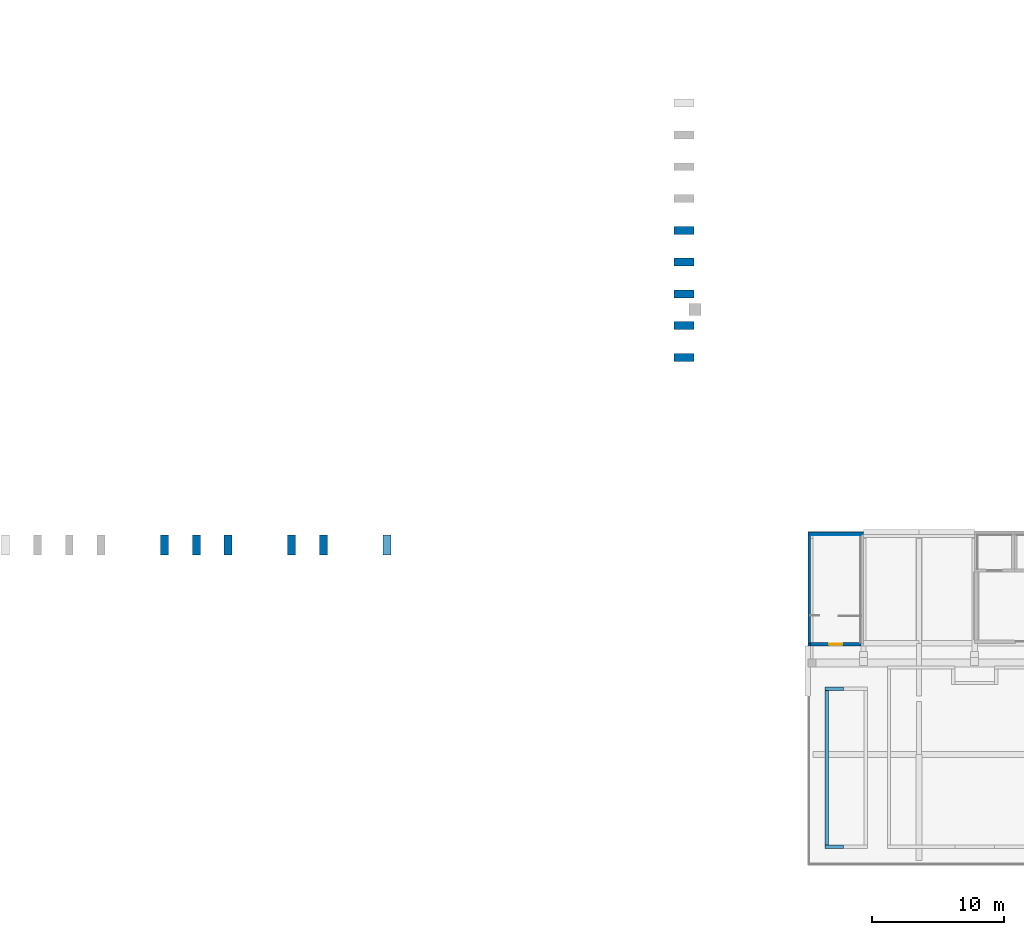
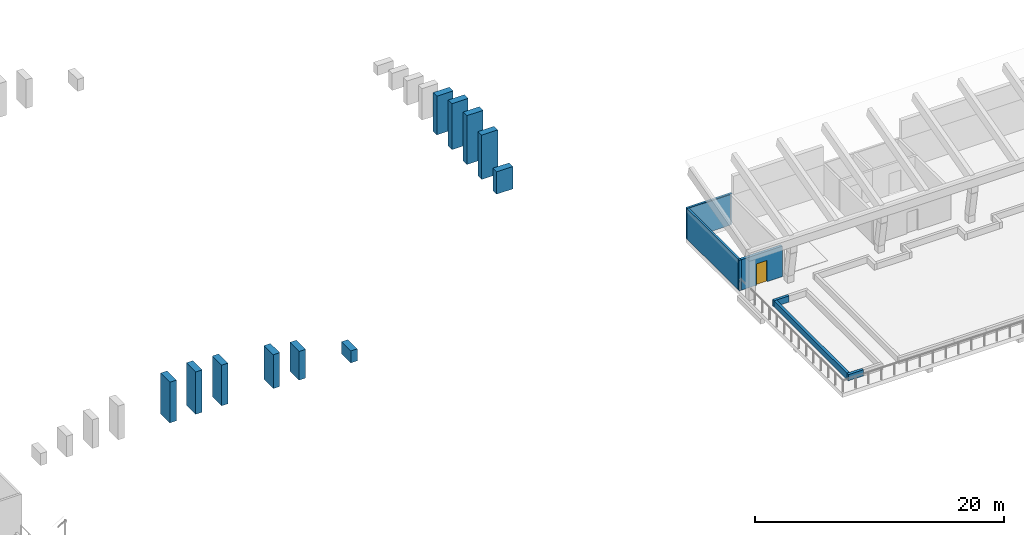
# One storey, part 46 of 67: 19 walls, 1 door, 1 opening.
"""IFC4 building model written with IfcOpenShell, lengths in metres."""

from ifc_helpers import new_model, si_unit, direction, frame, frame_2d, origin, place, context, subcontext, project, spatial, rectangle, extrude, material, layer, layer_set, type_object, element, fill, save


model = new_model("IFC4")

# Units and contexts
model_context = context("Model", 3, precision=1e-05, world=origin(), true_north=direction((0.0, 1.0)))
body_context = subcontext(model_context, "Body", "Model", "MODEL_VIEW")
ifc_project = project(units=[si_unit("LENGTHUNIT", "METRE"), si_unit("AREAUNIT", "SQUARE_METRE"), si_unit("VOLUMEUNIT", "CUBIC_METRE"), si_unit("PLANEANGLEUNIT", "RADIAN"), si_unit("MASSUNIT", "GRAM", prefix="KILO")], contexts=[model_context])

# Site, building, storey
site_placement = place(None, origin())
site = spatial("IfcSite", under=ifc_project, at=site_placement, CompositionType="ELEMENT")
building_placement = place(site_placement, origin())
building = spatial("IfcBuilding", under=site, at=building_placement, Name="Kiln Court Media Centre", CompositionType="ELEMENT")
storey_placement = place(building_placement, frame((0.0, 0.0, 19.800048828125)))
storey = spatial("IfcBuildingStorey", under=building, at=storey_placement, Name="L04", CompositionType="ELEMENT", Elevation=19.800048828125)

# Walls
ifc_material_1 = material(Name="Concrete C30/37", Category="concrete")
ifc_layer_1 = layer(ifc_material_1, 0.25)
ifc_layer_set_1 = layer_set([ifc_layer_1], Name="Concrete C30/37 planter wall 250")
wall_type_1 = type_object("IfcWallType", Name="Concrete C30/37 planter wall 250", PredefinedType="PARAPET", material=ifc_layer_set_1)
for number, where, z_axis, x_axis, name in (
    (1, (127.300048828125, 13.375, 0.0), (0.0, 0.0, 1.0), (1.0, 0.0, 0.0), "Roof garden planter 1.1 north wall"),
    (2, (127.300048828125, 1.425048828125, 0.0), (0.0, 0.0, 1.0), (1.0, 0.0, 0.0), "Roof garden planter 1.1 south wall"),
):
    element("IfcWall", number, at=place(storey_placement, frame(where, z_axis=z_axis, x_axis=x_axis)), inside=storey, type_object=wall_type_1, Name=name, PredefinedType="PARAPET", context=body_context, shape_type="SweptSolid", body=[
        extrude(rectangle(XDim=1.39990234375, YDim=0.25, at=frame_2d((0.699951171875, 0.0))), origin(), (0.0, 0.0, 1.0), 0.599853515625),
    ])
wall_1_placement = place(storey_placement, frame((127.425048828125, 1.550048828125, 0.0), z_axis=(0.0, 0.0, 1.0), x_axis=(0.0, 1.0, 0.0)))
element("IfcWall", 3, at=wall_1_placement, inside=storey, type_object=wall_type_1, Name="Roof garden planter 1.1 west wall", PredefinedType="PARAPET", context=body_context, shape_type="SweptSolid", body=[
    extrude(rectangle(XDim=11.699951171875, YDim=0.25, at=frame_2d((5.85009765625, 0.0))), origin(), (0.0, 0.0, 1.0), 0.599853515625),
])
ifc_material_2 = material(Name="Concrete C40/50", Category="concrete")
ifc_layer_2 = layer(ifc_material_2, 0.60009765625)
ifc_layer_set_2 = layer_set([ifc_layer_2], Name="Concrete C40/50 cast rib 600x1500")
wall_type_2 = type_object("IfcWallType", Name="Concrete C40/50 cast rib 600x1500", PredefinedType="SOLIDWALL", material=ifc_layer_set_2)
wall_2_placement = place(storey_placement, frame((77.39990234375, 24.9736328125, 0.0), z_axis=(0.0, 0.0, 1.0), x_axis=(0.0, -1.0, 0.0)))
element("IfcWall", 4, at=wall_2_placement, inside=storey, type_object=wall_type_2, Name="V1 S gable rib", PredefinedType="SOLIDWALL", context=body_context, shape_type="SweptSolid", body=[
    extrude(rectangle(XDim=1.5, YDim=0.60009765625, at=frame_2d((0.75, 0.0))), origin(), (0.0, 0.0, 1.0), 3.987060546875),
])
wall_3_placement = place(storey_placement, frame((79.800048828125, 24.9736328125, 0.0), z_axis=(0.0, 0.0, 1.0), x_axis=(0.0, -1.0, 0.0)))
element("IfcWall", 5, at=wall_3_placement, inside=storey, type_object=wall_type_2, Name="V1 S gable rib", PredefinedType="SOLIDWALL", context=body_context, shape_type="SweptSolid", body=[
    extrude(rectangle(XDim=1.5, YDim=0.60009765625, at=frame_2d((0.75, 0.0))), origin(), (0.0, 0.0, 1.0), 4.158447265625),
])
wall_4_placement = place(storey_placement, frame((82.199951171875, 24.9736328125, 0.0), z_axis=(0.0, 0.0, 1.0), x_axis=(0.0, -1.0, 0.0)))
element("IfcWall", 6, at=wall_4_placement, inside=storey, type_object=wall_type_2, Name="V1 S gable rib", PredefinedType="SOLIDWALL", context=body_context, shape_type="SweptSolid", body=[
    extrude(rectangle(XDim=1.5, YDim=0.60009765625, at=frame_2d((0.75, 0.0))), origin(), (0.0, 0.0, 1.0), 3.987060546875),
])
wall_5_placement = place(storey_placement, frame((87.0, 24.9736328125, 0.0), z_axis=(0.0, 0.0, 1.0), x_axis=(0.0, -1.0, 0.0)))
element("IfcWall", 7, at=wall_5_placement, inside=storey, type_object=wall_type_2, Name="V1 S gable rib", PredefinedType="SOLIDWALL", context=body_context, shape_type="SweptSolid", body=[
    extrude(rectangle(XDim=1.5, YDim=0.60009765625, at=frame_2d((0.75, 0.0))), origin(), (0.0, 0.0, 1.0), 3.32275390625),
])
wall_6_placement = place(storey_placement, frame((89.39990234375, 24.9736328125, 0.0), z_axis=(0.0, 0.0, 1.0), x_axis=(0.0, -1.0, 0.0)))
element("IfcWall", 8, at=wall_6_placement, inside=storey, type_object=wall_type_2, Name="V1 S gable rib", PredefinedType="SOLIDWALL", context=body_context, shape_type="SweptSolid", body=[
    extrude(rectangle(XDim=1.5, YDim=0.60009765625, at=frame_2d((0.75, 0.0))), origin(), (0.0, 0.0, 1.0), 2.80859375),
])
wall_7_placement = place(storey_placement, frame((94.199951171875, 24.9736328125, 0.0), z_axis=(0.0, 0.0, 1.0), x_axis=(0.0, -1.0, 0.0)))
element("IfcWall", 9, at=wall_7_placement, inside=storey, type_object=wall_type_2, Name="V1 S gable rib", PredefinedType="SOLIDWALL", context=body_context, shape_type="SweptSolid", body=[
    extrude(rectangle(XDim=1.5, YDim=0.60009765625, at=frame_2d((0.75, 0.0))), origin(), (0.0, 0.0, 1.0), 1.179931640625),
])
wall_8_placement = place(storey_placement, frame((117.386474609375, 38.39990234375, 0.0), z_axis=(0.0, 0.0, 1.0), x_axis=(-1.0, 0.0, 0.0)))
element("IfcWall", 10, at=wall_8_placement, inside=storey, type_object=wall_type_2, Name="V2 W gable rib", PredefinedType="SOLIDWALL", context=body_context, shape_type="SweptSolid", body=[
    extrude(rectangle(XDim=1.5, YDim=0.60009765625, at=frame_2d((0.75, 0.0))), origin(), (0.0, 0.0, 1.0), 2.19775390625),
])
wall_9_placement = place(storey_placement, frame((117.386474609375, 40.800048828125, 0.0), z_axis=(0.0, 0.0, 1.0), x_axis=(-1.0, 0.0, 0.0)))
element("IfcWall", 11, at=wall_9_placement, inside=storey, type_object=wall_type_2, Name="V2 W gable rib", PredefinedType="SOLIDWALL", context=body_context, shape_type="SweptSolid", body=[
    extrude(rectangle(XDim=1.5, YDim=0.60009765625, at=frame_2d((0.75, 0.0))), origin(), (0.0, 0.0, 1.0), 4.340576171875),
])
wall_10_placement = place(storey_placement, frame((117.386474609375, 43.199951171875, 0.0), z_axis=(0.0, 0.0, 1.0), x_axis=(-1.0, 0.0, 0.0)))
element("IfcWall", 12, at=wall_10_placement, inside=storey, type_object=wall_type_2, Name="V2 W gable rib", PredefinedType="SOLIDWALL", context=body_context, shape_type="SweptSolid", body=[
    extrude(rectangle(XDim=1.5, YDim=0.60009765625, at=frame_2d((0.75, 0.0))), origin(), (0.0, 0.0, 1.0), 4.800048828125),
])
wall_11_placement = place(storey_placement, frame((117.386474609375, 45.60009765625, 0.0), z_axis=(0.0, 0.0, 1.0), x_axis=(-1.0, 0.0, 0.0)))
element("IfcWall", 13, at=wall_11_placement, inside=storey, type_object=wall_type_2, Name="V2 W gable rib", PredefinedType="SOLIDWALL", context=body_context, shape_type="SweptSolid", body=[
    extrude(rectangle(XDim=1.5, YDim=0.60009765625, at=frame_2d((0.75, 0.0))), origin(), (0.0, 0.0, 1.0), 4.519287109375),
])
wall_12_placement = place(storey_placement, frame((117.386474609375, 48.0, 0.0), z_axis=(0.0, 0.0, 1.0), x_axis=(-1.0, 0.0, 0.0)))
element("IfcWall", 14, at=wall_12_placement, inside=storey, type_object=wall_type_2, Name="V2 W gable rib", PredefinedType="SOLIDWALL", context=body_context, shape_type="SweptSolid", body=[
    extrude(rectangle(XDim=1.5, YDim=0.60009765625, at=frame_2d((0.75, 0.0))), origin(), (0.0, 0.0, 1.0), 3.804931640625),
])
ifc_material_3 = material(Name="Concrete C40/50", Category="concrete")
ifc_layer_3 = layer(ifc_material_3, 0.199951171875)
ifc_layer_set_3 = layer_set([ifc_layer_3], Name="Concrete C40/50 shear wall 200")
wall_type_3 = type_object("IfcWallType", Name="Concrete C40/50 shear wall 200", PredefinedType="SHEAR", material=ifc_layer_set_3)
wall_13_placement = place(storey_placement, frame((126.0, 25.10009765625, 0.0), z_axis=(0.0, 0.0, 1.0), x_axis=(1.0, 0.0, 0.0)))
element("IfcWall", 15, at=wall_13_placement, inside=storey, type_object=wall_type_3, Name="L04-W-1028", PredefinedType="SHEAR", context=body_context, shape_type="SweptSolid", body=[
    extrude(rectangle(XDim=4.199951171875, YDim=0.199951171875, at=frame_2d((2.10009765625, 0.0))), origin(), (0.0, 0.0, 1.0), 3.0),
])
wall_14_placement = place(storey_placement, frame((126.10009765625, 16.800048828125, 0.0), z_axis=(0.0, 0.0, 1.0), x_axis=(0.0, 1.0, 0.0)))
element("IfcWall", 16, at=wall_14_placement, inside=storey, type_object=wall_type_3, Name="L04-W-1029", PredefinedType="SHEAR", context=body_context, shape_type="SweptSolid", body=[
    extrude(rectangle(XDim=8.199951171875, YDim=0.199951171875, at=frame_2d((4.10009765625, 0.0))), origin(), (0.0, 0.0, 1.0), 3.0),
])
wall_15_placement = place(storey_placement, frame((126.199951171875, 16.699951171875, 0.0), z_axis=(0.0, 0.0, 1.0), x_axis=(-1.0, 0.0, 0.0)))
element("IfcWall", 17, at=wall_15_placement, inside=storey, type_object=wall_type_3, Name="L04-W-1087", PredefinedType="SHEAR", context=body_context, shape_type="SweptSolid", body=[
    extrude(rectangle(XDim=0.199951171875, YDim=0.199951171875, at=frame_2d((0.10009765625, 0.0))), origin(), (0.0, 0.0, 1.0), 3.0),
])

# Wall, opening, door
ifc_material_4 = material(Name="Concrete C40/50", Category="concrete")
ifc_layer_4 = layer(ifc_material_4, 0.25)
ifc_layer_set_4 = layer_set([ifc_layer_4], Name="Concrete C40/50 shear wall 250")
wall_type_4 = type_object("IfcWallType", Name="Concrete C40/50 shear wall 250", PredefinedType="SHEAR", material=ifc_layer_set_4)
wall_16_placement = place(storey_placement, frame((130.0, 16.72509765625, 0.0), z_axis=(0.0, 0.0, 1.0), x_axis=(-1.0, 0.0, 0.0)))
wall_16 = element("IfcWall", 18, at=wall_16_placement, inside=storey, type_object=wall_type_4, Name="L04-W-1085", PredefinedType="SHEAR", context=body_context, shape_type="SweptSolid", body=[
    extrude(rectangle(XDim=3.800048828125, YDim=0.25, at=frame_2d((1.89990234375, 0.0))), origin(), (0.0, 0.0, 1.0), 3.0),
])
opening_placement = place(wall_16_placement, frame((1.39990234375, 0.0, 0.0)))
opening = element("IfcOpeningElement", 19, at=opening_placement, cuts=wall_16, Name="Opening D4750", PredefinedType="OPENING", context=body_context, shape_type="SweptSolid", body=[
    extrude(rectangle(XDim=1.0, YDim=2.10009765625, at=frame_2d((0.5, 1.050048828125))), frame((0.0, 0.135009765625, 0.0), z_axis=(0.0, -1.0, 0.0), x_axis=(1.0, 0.0, 0.0)), (0.0, 0.0, 1.0), 0.27001953125),
])
ifc_material_5 = material(Name="Steel ASTM A572 Gr 50", Category="steel")
door_type = type_object("IfcDoorType", Name="Steel garden access door 1000x2100", OperationType="SINGLE_SWING_LEFT", PredefinedType="DOOR", material=ifc_material_5)
door_placement = place(opening_placement, origin())
door = element("IfcDoor", 20, at=door_placement, inside=storey, type_object=door_type, Name="ST-16 garden door", OperationType="SLIDING_TO_LEFT", OverallHeight=2.10009765625, OverallWidth=1.0, PredefinedType="DOOR", context=body_context, shape_type="SweptSolid", body=[
    extrude(rectangle(XDim=1.0, YDim=2.10009765625, at=frame_2d((0.5, 1.050048828125))), frame((0.0, 0.02490234375, 0.0), z_axis=(0.0, -1.0, 0.0), x_axis=(1.0, 0.0, 0.0)), (0.0, 0.0, 1.0), 0.050048828125),
])
fill(opening, door)

# Wall
ifc_material_6 = material(Name="Concrete C40/50", Category="concrete")
ifc_layer_5 = layer(ifc_material_6, 0.050048828125)
ifc_layer_set_5 = layer_set([ifc_layer_5], Name="Concrete C40/50 shear wall 50")
wall_type_5 = type_object("IfcWallType", Name="Concrete C40/50 shear wall 50", PredefinedType="SHEAR", material=ifc_layer_set_5)
wall_17_placement = place(storey_placement, frame((126.199951171875, 24.97509765625, 0.0), z_axis=(0.0, 0.0, 1.0), x_axis=(1.0, 0.0, 0.0)))
element("IfcWall", 21, at=wall_17_placement, inside=storey, type_object=wall_type_5, Name="L04-W-1088", PredefinedType="SHEAR", context=body_context, shape_type="SweptSolid", body=[
    extrude(rectangle(XDim=3.800048828125, YDim=0.050048828125, at=frame_2d((1.89990234375, 0.0))), origin(), (0.0, 0.0, 1.0), 3.0),
])

save(model, "model.ifc")
